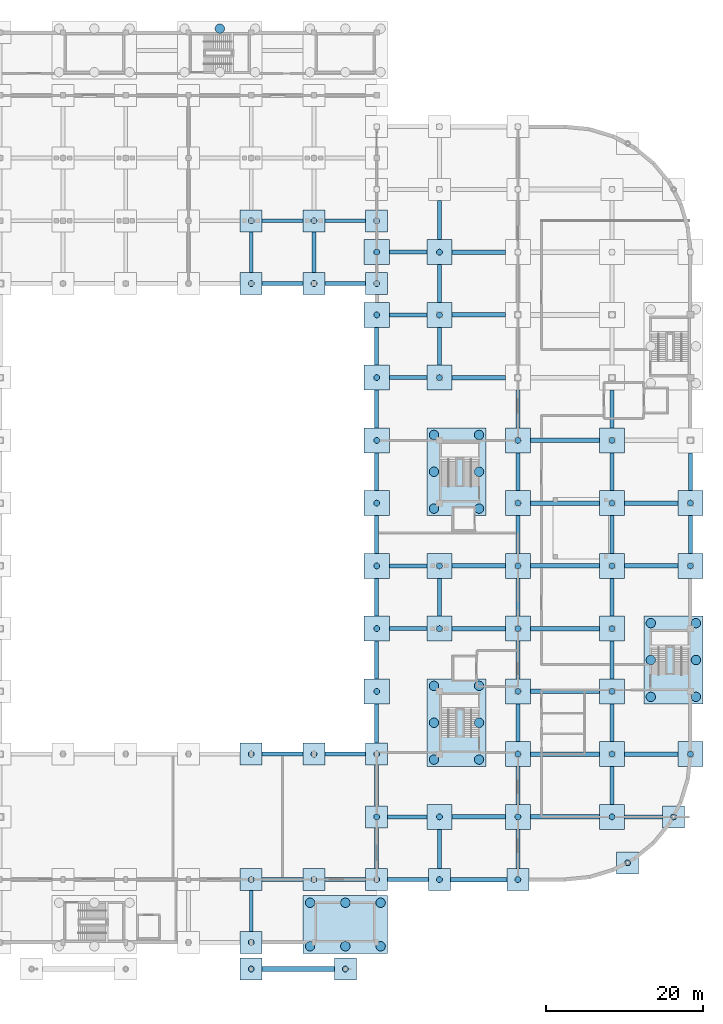
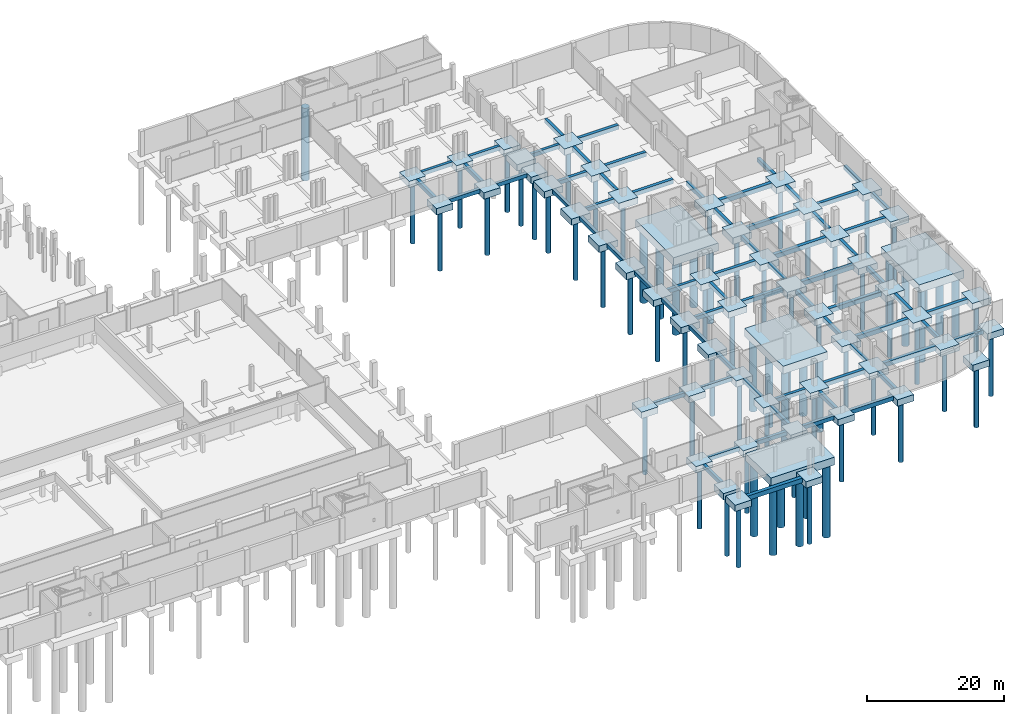
# One storey, part 3 of 29: 123 footings, 76 piles.
"""IFC4 building model written with IfcOpenShell, lengths in metres."""

from ifc_helpers import new_model, si_unit, direction, frame, origin, origin_2d, place, context, subcontext, project, spatial, rectangle, circle, extrude, material, material_profile, profile_set, type_object, element, save


model = new_model("IFC4")

# Units and contexts
model_context = context("Model", 3, precision=1e-05, world=origin(), true_north=direction((0.0, 1.0)))
body_context = subcontext(model_context, "Body", "Model", "MODEL_VIEW")
ifc_project = project(units=[si_unit("LENGTHUNIT", "METRE"), si_unit("AREAUNIT", "SQUARE_METRE"), si_unit("VOLUMEUNIT", "CUBIC_METRE"), si_unit("PLANEANGLEUNIT", "RADIAN"), si_unit("MASSUNIT", "GRAM", prefix="KILO")], contexts=[model_context])

# Site, building, storey
site_placement = place(None, origin())
site = spatial("IfcSite", under=ifc_project, at=site_placement, CompositionType="ELEMENT")
building_placement = place(site_placement, origin())
building = spatial("IfcBuilding", under=site, at=building_placement, Name="Drelvana Railside Aquatics Centre", CompositionType="ELEMENT")
storey_placement = place(building_placement, frame((0.0, 0.0, -4.800048828125)))
storey = spatial("IfcBuildingStorey", under=building, at=storey_placement, Name="B1", CompositionType="ELEMENT", Elevation=-4.800048828125)

# Footings
ifc_material = material(Name="Concrete C35/45", Category="concrete")
ifc_material_profile_1 = material_profile(ifc_material, rectangle(XDim=0.5, YDim=0.699951171875, at=origin_2d()), Name="GB 500x700")
ifc_profile_set_1 = profile_set([ifc_material_profile_1], Name="Concrete C35/45")
footing_type_1 = type_object("IfcFootingType", Name="STR-GB-500x700", PredefinedType="FOOTING_BEAM", material=ifc_profile_set_1)
for number, where, z_axis, x_axis, name in (
    (1, (128.0, 1.39990234375, -0.349853515625), (0.0, 1.0, 0.0), (-1.0, 0.0, 0.0), "Foundation tie beam GB-006"),
    (2, (129.39990234375, 8.0, -0.349853515625), (1.0, 0.0, 0.0), (0.0, 1.0, 0.0), "Foundation tie beam GB-012"),
    (3, (137.39990234375, 8.0, -0.349853515625), (1.0, 0.0, 0.0), (0.0, 1.0, 0.0), "Foundation tie beam GB-013"),
    (4, (145.39990234375, 8.0, -0.349853515625), (1.0, 0.0, 0.0), (0.0, 1.0, 0.0), "Foundation tie beam GB-014"),
    (5, (144.0, 9.39990234375, -0.349853515625), (0.0, 1.0, 0.0), (-1.0, 0.0, 0.0), "Foundation tie beam GB-015"),
):
    element("IfcFooting", number, at=place(storey_placement, frame(where, z_axis=z_axis, x_axis=x_axis)), inside=storey, type_object=footing_type_1, Name=name, PredefinedType="FOOTING_BEAM", context=body_context, shape_type="SweptSolid", body=[
        extrude(rectangle(XDim=0.5, YDim=0.699951171875, at=origin_2d()), origin(), (0.0, 0.0, 1.0), 5.2001953125),
    ])
for number, where, z_axis, x_axis, name in (
    (6, (152.0, 9.39990234375, -0.349853515625), (0.0, 1.0, 0.0), (-1.0, 0.0, 0.0), "Foundation tie beam GB-017"),
    (7, (162.0, 9.39990234375, -0.349853515625), (0.0, 1.0, 0.0), (-1.0, 0.0, 0.0), "Foundation tie beam GB-018"),
    (8, (145.39990234375, 16.0, -0.349853515625), (1.0, 0.0, 0.0), (0.0, 1.0, 0.0), "Foundation tie beam GB-020"),
):
    element("IfcFooting", number, at=place(storey_placement, frame(where, z_axis=z_axis, x_axis=x_axis)), inside=storey, type_object=footing_type_1, Name=name, PredefinedType="FOOTING_BEAM", context=body_context, shape_type="SweptSolid", body=[
        extrude(rectangle(XDim=0.5, YDim=0.699951171875, at=origin_2d()), origin(), (0.0, 0.0, 1.0), 5.0),
    ])
footing_1_placement = place(storey_placement, frame((162.0, 17.60009765625, -0.349853515625), z_axis=(0.0, 1.0, 0.0), x_axis=(-1.0, 0.0, 0.0)))
element("IfcFooting", 9, at=footing_1_placement, inside=storey, type_object=footing_type_1, Name="Foundation tie beam GB-022", PredefinedType="FOOTING_BEAM", context=body_context, shape_type="SweptSolid", body=[
    extrude(rectangle(XDim=0.5, YDim=0.699951171875, at=origin_2d()), origin(), (0.0, 0.0, 1.0), 4.7998046875),
])
footing_2_placement = place(storey_placement, frame((175.60009765625, 16.0, -0.349853515625), z_axis=(1.0, 0.0, 0.0), x_axis=(0.0, 1.0, 0.0)))
element("IfcFooting", 10, at=footing_2_placement, inside=storey, type_object=footing_type_1, Name="Foundation tie beam GB-023", PredefinedType="FOOTING_BEAM", context=body_context, shape_type="SweptSolid", body=[
    extrude(rectangle(XDim=0.5, YDim=0.699951171875, at=origin_2d()), origin(), (0.0, 0.0, 1.0), 4.85595703125),
])
footing_3_placement = place(storey_placement, frame((174.0, 17.60009765625, -0.349853515625), z_axis=(0.0, 1.0, 0.0), x_axis=(-1.0, 0.0, 0.0)))
element("IfcFooting", 11, at=footing_3_placement, inside=storey, type_object=footing_type_1, Name="Foundation tie beam GB-024", PredefinedType="FOOTING_BEAM", context=body_context, shape_type="SweptSolid", body=[
    extrude(rectangle(XDim=0.5, YDim=0.699951171875, at=origin_2d()), origin(), (0.0, 0.0, 1.0), 4.7998046875),
])
footing_4_placement = place(storey_placement, frame((144.0, 17.39990234375, -0.349853515625), z_axis=(0.0, 1.0, 0.0), x_axis=(-1.0, 0.0, 0.0)))
element("IfcFooting", 12, at=footing_4_placement, inside=storey, type_object=footing_type_1, Name="Foundation tie beam GB-036", PredefinedType="FOOTING_BEAM", context=body_context, shape_type="SweptSolid", body=[
    extrude(rectangle(XDim=0.5, YDim=0.699951171875, at=origin_2d()), origin(), (0.0, 0.0, 1.0), 5.2001953125),
])
for number, where, z_axis, x_axis, name in (
    (13, (162.0, 25.60009765625, -0.349853515625), (0.0, 1.0, 0.0), (-1.0, 0.0, 0.0), "Foundation tie beam GB-038"),
    (14, (174.0, 25.60009765625, -0.349853515625), (0.0, 1.0, 0.0), (-1.0, 0.0, 0.0), "Foundation tie beam GB-040"),
):
    element("IfcFooting", number, at=place(storey_placement, frame(where, z_axis=z_axis, x_axis=x_axis)), inside=storey, type_object=footing_type_1, Name=name, PredefinedType="FOOTING_BEAM", context=body_context, shape_type="SweptSolid", body=[
        extrude(rectangle(XDim=0.5, YDim=0.699951171875, at=origin_2d()), origin(), (0.0, 0.0, 1.0), 4.7998046875),
    ])
for number, where, z_axis, x_axis, name in (
    (15, (129.39990234375, 24.0, -0.349853515625), (1.0, 0.0, 0.0), (0.0, 1.0, 0.0), "Foundation tie beam GB-059"),
    (16, (137.39990234375, 24.0, -0.349853515625), (1.0, 0.0, 0.0), (0.0, 1.0, 0.0), "Foundation tie beam GB-060"),
):
    element("IfcFooting", number, at=place(storey_placement, frame(where, z_axis=z_axis, x_axis=x_axis)), inside=storey, type_object=footing_type_1, Name=name, PredefinedType="FOOTING_BEAM", context=body_context, shape_type="SweptSolid", body=[
        extrude(rectangle(XDim=0.5, YDim=0.699951171875, at=origin_2d()), origin(), (0.0, 0.0, 1.0), 5.2001953125),
    ])
footing_5_placement = place(storey_placement, frame((144.0, 25.39990234375, -0.349853515625), z_axis=(0.0, 1.0, 0.0), x_axis=(-1.0, 0.0, 0.0)))
element("IfcFooting", 17, at=footing_5_placement, inside=storey, type_object=footing_type_1, Name="Foundation tie beam GB-061", PredefinedType="FOOTING_BEAM", context=body_context, shape_type="SweptSolid", body=[
    extrude(rectangle(XDim=0.5, YDim=0.699951171875, at=origin_2d()), origin(), (0.0, 0.0, 1.0), 5.0),
])
for number, where, z_axis, x_axis, name in (
    (18, (144.0, 33.60009765625, -0.349853515625), (0.0, 1.0, 0.0), (-1.0, 0.0, 0.0), "Foundation tie beam GB-062"),
    (19, (162.0, 33.60009765625, -0.349853515625), (0.0, 1.0, 0.0), (-1.0, 0.0, 0.0), "Foundation tie beam GB-064"),
    (20, (174.0, 33.60009765625, -0.349853515625), (0.0, 1.0, 0.0), (-1.0, 0.0, 0.0), "Foundation tie beam GB-065"),
    (21, (145.60009765625, 40.0, -0.349853515625), (1.0, 0.0, 0.0), (0.0, 1.0, 0.0), "Foundation tie beam GB-069"),
    (22, (144.0, 41.60009765625, -0.349853515625), (0.0, 1.0, 0.0), (-1.0, 0.0, 0.0), "Foundation tie beam GB-070"),
    (23, (152.0, 41.60009765625, -0.349853515625), (0.0, 1.0, 0.0), (-1.0, 0.0, 0.0), "Foundation tie beam GB-072"),
    (24, (162.0, 41.60009765625, -0.349853515625), (0.0, 1.0, 0.0), (-1.0, 0.0, 0.0), "Foundation tie beam GB-074"),
    (25, (174.0, 41.60009765625, -0.349853515625), (0.0, 1.0, 0.0), (-1.0, 0.0, 0.0), "Foundation tie beam GB-075"),
    (26, (145.60009765625, 48.0, -0.349853515625), (1.0, 0.0, 0.0), (0.0, 1.0, 0.0), "Foundation tie beam GB-078"),
    (27, (144.0, 49.60009765625, -0.349853515625), (0.0, 1.0, 0.0), (-1.0, 0.0, 0.0), "Foundation tie beam GB-079"),
    (28, (162.0, 49.60009765625, -0.349853515625), (0.0, 1.0, 0.0), (-1.0, 0.0, 0.0), "Foundation tie beam GB-082"),
    (29, (174.0, 49.60009765625, -0.349853515625), (0.0, 1.0, 0.0), (-1.0, 0.0, 0.0), "Foundation tie beam GB-084"),
    (30, (184.0, 49.60009765625, -0.349853515625), (0.0, 1.0, 0.0), (-1.0, 0.0, 0.0), "Foundation tie beam GB-085"),
    (31, (144.0, 57.60009765625, -0.349853515625), (0.0, 1.0, 0.0), (-1.0, 0.0, 0.0), "Foundation tie beam GB-101"),
    (32, (162.0, 57.60009765625, -0.349853515625), (0.0, 1.0, 0.0), (-1.0, 0.0, 0.0), "Foundation tie beam GB-103"),
    (33, (174.0, 57.60009765625, -0.349853515625), (0.0, 1.0, 0.0), (-1.0, 0.0, 0.0), "Foundation tie beam GB-105"),
    (34, (184.0, 57.60009765625, -0.349853515625), (0.0, 1.0, 0.0), (-1.0, 0.0, 0.0), "Foundation tie beam GB-106"),
    (35, (144.0, 65.60009765625, -0.349853515625), (0.0, 1.0, 0.0), (-1.0, 0.0, 0.0), "Foundation tie beam GB-112"),
    (36, (162.0, 65.60009765625, -0.349853515625), (0.0, 1.0, 0.0), (-1.0, 0.0, 0.0), "Foundation tie beam GB-114"),
    (37, (174.0, 65.60009765625, -0.349853515625), (0.0, 1.0, 0.0), (-1.0, 0.0, 0.0), "Foundation tie beam GB-116"),
    (38, (145.60009765625, 72.0, -0.349853515625), (1.0, 0.0, 0.0), (0.0, 1.0, 0.0), "Foundation tie beam GB-118"),
    (39, (144.0, 73.60009765625, -0.349853515625), (0.0, 1.0, 0.0), (-1.0, 0.0, 0.0), "Foundation tie beam GB-119"),
    (40, (152.0, 73.60009765625, -0.349853515625), (0.0, 1.0, 0.0), (-1.0, 0.0, 0.0), "Foundation tie beam GB-121"),
    (41, (145.60009765625, 80.0, -0.349853515625), (1.0, 0.0, 0.0), (0.0, 1.0, 0.0), "Foundation tie beam GB-149"),
    (42, (152.0, 81.60009765625, -0.349853515625), (0.0, 1.0, 0.0), (-1.0, 0.0, 0.0), "Foundation tie beam GB-151"),
):
    element("IfcFooting", number, at=place(storey_placement, frame(where, z_axis=z_axis, x_axis=x_axis)), inside=storey, type_object=footing_type_1, Name=name, PredefinedType="FOOTING_BEAM", context=body_context, shape_type="SweptSolid", body=[
        extrude(rectangle(XDim=0.5, YDim=0.699951171875, at=origin_2d()), origin(), (0.0, 0.0, 1.0), 4.7998046875),
    ])
for number, where, z_axis, x_axis, name in (
    (43, (129.39990234375, 84.0, -0.349853515625), (1.0, 0.0, 0.0), (0.0, 1.0, 0.0), "Foundation tie beam GB-175"),
    (44, (128.0, 85.39990234375, -0.349853515625), (0.0, 1.0, 0.0), (-1.0, 0.0, 0.0), "Foundation tie beam GB-176"),
    (45, (137.39990234375, 84.0, -0.349853515625), (1.0, 0.0, 0.0), (0.0, 1.0, 0.0), "Foundation tie beam GB-177"),
    (46, (136.0, 85.39990234375, -0.349853515625), (0.0, 1.0, 0.0), (-1.0, 0.0, 0.0), "Foundation tie beam GB-178"),
):
    element("IfcFooting", number, at=place(storey_placement, frame(where, z_axis=z_axis, x_axis=x_axis)), inside=storey, type_object=footing_type_1, Name=name, PredefinedType="FOOTING_BEAM", context=body_context, shape_type="SweptSolid", body=[
        extrude(rectangle(XDim=0.5, YDim=0.699951171875, at=origin_2d()), origin(), (0.0, 0.0, 1.0), 5.2001953125),
    ])
footing_6_placement = place(storey_placement, frame((145.60009765625, 88.0, -0.349853515625), z_axis=(1.0, 0.0, 0.0), x_axis=(0.0, 1.0, 0.0)))
element("IfcFooting", 47, at=footing_6_placement, inside=storey, type_object=footing_type_1, Name="Foundation tie beam GB-179", PredefinedType="FOOTING_BEAM", context=body_context, shape_type="SweptSolid", body=[
    extrude(rectangle(XDim=0.5, YDim=0.699951171875, at=origin_2d()), origin(), (0.0, 0.0, 1.0), 4.7998046875),
])
footing_7_placement = place(storey_placement, frame((152.0, 89.60009765625, -0.349853515625), z_axis=(0.0, 1.0, 0.0), x_axis=(-1.0, 0.0, 0.0)))
element("IfcFooting", 48, at=footing_7_placement, inside=storey, type_object=footing_type_1, Name="Foundation tie beam GB-181", PredefinedType="FOOTING_BEAM", context=body_context, shape_type="SweptSolid", body=[
    extrude(rectangle(XDim=0.5, YDim=0.699951171875, at=origin_2d()), origin(), (0.0, 0.0, 1.0), 5.0),
])
for number, where, z_axis, x_axis, name in (
    (49, (129.39990234375, 92.0, -0.349853515625), (1.0, 0.0, 0.0), (0.0, 1.0, 0.0), "Foundation tie beam GB-197"),
    (50, (137.39990234375, 92.0, -0.349853515625), (1.0, 0.0, 0.0), (0.0, 1.0, 0.0), "Foundation tie beam GB-199"),
):
    element("IfcFooting", number, at=place(storey_placement, frame(where, z_axis=z_axis, x_axis=x_axis)), inside=storey, type_object=footing_type_1, Name=name, PredefinedType="FOOTING_BEAM", context=body_context, shape_type="SweptSolid", body=[
        extrude(rectangle(XDim=0.5, YDim=0.699951171875, at=origin_2d()), origin(), (0.0, 0.0, 1.0), 5.2001953125),
    ])
ifc_material_profile_2 = material_profile(ifc_material, rectangle(XDim=0.550048828125, YDim=0.75, at=origin_2d()), Name="GB 550x750")
ifc_profile_set_2 = profile_set([ifc_material_profile_2], Name="Concrete C35/45")
footing_type_2 = type_object("IfcFootingType", Name="STR-GB-550x750", PredefinedType="FOOTING_BEAM", material=ifc_profile_set_2)
footing_8_placement = place(storey_placement, frame((153.39990234375, 8.0, -0.375), z_axis=(1.0, 0.0, 0.0), x_axis=(0.0, 1.0, 0.0)))
element("IfcFooting", 51, at=footing_8_placement, inside=storey, type_object=footing_type_2, Name="Foundation tie beam GB-016", PredefinedType="FOOTING_BEAM", context=body_context, shape_type="SweptSolid", body=[
    extrude(rectangle(XDim=0.550048828125, YDim=0.75, at=origin_2d()), origin(), (0.0, 0.0, 1.0), 7.2001953125),
])
for number, where, z_axis, x_axis, name in (
    (52, (153.60009765625, 16.0, -0.375), (1.0, 0.0, 0.0), (0.0, 1.0, 0.0), "Foundation tie beam GB-019"),
    (53, (175.60009765625, 24.0, -0.375), (1.0, 0.0, 0.0), (0.0, 1.0, 0.0), "Foundation tie beam GB-039"),
    (54, (153.60009765625, 40.0, -0.375), (1.0, 0.0, 0.0), (0.0, 1.0, 0.0), "Foundation tie beam GB-071"),
    (55, (153.60009765625, 48.0, -0.375), (1.0, 0.0, 0.0), (0.0, 1.0, 0.0), "Foundation tie beam GB-080"),
    (56, (175.60009765625, 48.0, -0.375), (1.0, 0.0, 0.0), (0.0, 1.0, 0.0), "Foundation tie beam GB-083"),
    (57, (175.60009765625, 56.0, -0.375), (1.0, 0.0, 0.0), (0.0, 1.0, 0.0), "Foundation tie beam GB-104"),
    (58, (153.60009765625, 72.0, -0.375), (1.0, 0.0, 0.0), (0.0, 1.0, 0.0), "Foundation tie beam GB-120"),
    (59, (153.60009765625, 80.0, -0.375), (1.0, 0.0, 0.0), (0.0, 1.0, 0.0), "Foundation tie beam GB-150"),
    (60, (153.60009765625, 88.0, -0.375), (1.0, 0.0, 0.0), (0.0, 1.0, 0.0), "Foundation tie beam GB-180"),
):
    element("IfcFooting", number, at=place(storey_placement, frame(where, z_axis=z_axis, x_axis=x_axis)), inside=storey, type_object=footing_type_2, Name=name, PredefinedType="FOOTING_BEAM", context=body_context, shape_type="SweptSolid", body=[
        extrude(rectangle(XDim=0.550048828125, YDim=0.75, at=origin_2d()), origin(), (0.0, 0.0, 1.0), 6.7998046875),
    ])
ifc_material_profile_3 = material_profile(ifc_material, rectangle(XDim=0.60009765625, YDim=0.800048828125, at=origin_2d()), Name="GB 600x800")
ifc_profile_set_3 = profile_set([ifc_material_profile_3], Name="Concrete C35/45")
footing_type_3 = type_object("IfcFootingType", Name="STR-GB-600x800", PredefinedType="FOOTING_BEAM", material=ifc_profile_set_3)
footing_9_placement = place(storey_placement, frame((129.39990234375, -3.39990234375, -0.39990234375), z_axis=(1.0, 0.0, 0.0), x_axis=(0.0, 1.0, 0.0)))
element("IfcFooting", 61, at=footing_9_placement, inside=storey, type_object=footing_type_3, Name="Foundation tie beam GB-002", PredefinedType="FOOTING_BEAM", context=body_context, shape_type="SweptSolid", body=[
    extrude(rectangle(XDim=0.60009765625, YDim=0.800048828125, at=origin_2d()), origin(), (0.0, 0.0, 1.0), 9.2001953125),
])
for number, where, z_axis, x_axis, name in (
    (62, (163.60009765625, 16.0, -0.39990234375), (1.0, 0.0, 0.0), (0.0, 1.0, 0.0), "Foundation tie beam GB-021"),
    (63, (163.60009765625, 24.0, -0.39990234375), (1.0, 0.0, 0.0), (0.0, 1.0, 0.0), "Foundation tie beam GB-037"),
    (64, (163.60009765625, 32.0, -0.39990234375), (1.0, 0.0, 0.0), (0.0, 1.0, 0.0), "Foundation tie beam GB-063"),
    (65, (163.60009765625, 40.0, -0.39990234375), (1.0, 0.0, 0.0), (0.0, 1.0, 0.0), "Foundation tie beam GB-073"),
    (66, (163.60009765625, 48.0, -0.39990234375), (1.0, 0.0, 0.0), (0.0, 1.0, 0.0), "Foundation tie beam GB-081"),
    (67, (163.60009765625, 56.0, -0.39990234375), (1.0, 0.0, 0.0), (0.0, 1.0, 0.0), "Foundation tie beam GB-102"),
    (68, (163.60009765625, 64.0, -0.39990234375), (1.0, 0.0, 0.0), (0.0, 1.0, 0.0), "Foundation tie beam GB-113"),
):
    element("IfcFooting", number, at=place(storey_placement, frame(where, z_axis=z_axis, x_axis=x_axis)), inside=storey, type_object=footing_type_3, Name=name, PredefinedType="FOOTING_BEAM", context=body_context, shape_type="SweptSolid", body=[
        extrude(rectangle(XDim=0.60009765625, YDim=0.800048828125, at=origin_2d()), origin(), (0.0, 0.0, 1.0), 8.7998046875),
    ])
footing_type_4 = type_object("IfcFootingType", Name="STR-PC-10800x7350x1400", PredefinedType="PILE_CAP", material=ifc_material)
footing_10_placement = place(storey_placement, frame((140.0, 2.27490234375, -1.39990234375), z_axis=(0.0, 0.0, 1.0), x_axis=(1.0, 0.0, 0.0)))
element("IfcFooting", 69, at=footing_10_placement, inside=storey, type_object=footing_type_4, Name="Combined pile cap PC-009", PredefinedType="PILE_CAP", context=body_context, shape_type="SweptSolid", body=[
    extrude(rectangle(XDim=10.800048828125, YDim=7.35009765625, at=origin_2d()), origin(), (0.0, 0.0, 1.0), 1.39990234375),
])
footing_type_5 = type_object("IfcFootingType", Name="STR-PC-2800x2800x1150", PredefinedType="PILE_CAP", material=ifc_material)
for number, where, z_axis, x_axis, name in (
    (70, (128.0, -3.39990234375, -1.14990234375), (0.0, 0.0, 1.0), (1.0, 0.0, 0.0), "Combined pile cap PC-003"),
    (71, (140.0, -3.39990234375, -1.14990234375), (0.0, 0.0, 1.0), (1.0, 0.0, 0.0), "Combined pile cap PC-004"),
    (72, (128.0, 0.0, -1.14990234375), (0.0, 0.0, 1.0), (1.0, 0.0, 0.0), "Combined pile cap PC-008"),
    (73, (128.0, 8.0, -1.14990234375), (0.0, 0.0, 1.0), (1.0, 0.0, 0.0), "Combined pile cap PC-014"),
    (74, (136.0, 8.0, -1.14990234375), (0.0, 0.0, 1.0), (1.0, 0.0, 0.0), "Combined pile cap PC-015"),
    (75, (144.0, 8.0, -1.14990234375), (0.0, 0.0, 1.0), (1.0, 0.0, 0.0), "Combined pile cap PC-016"),
    (76, (152.0, 8.0, -1.14990234375), (0.0, 0.0, 1.0), (1.0, 0.0, 0.0), "Combined pile cap PC-017"),
    (77, (162.0, 8.0, -1.14990234375), (0.0, 0.0, 1.0), (1.0, 0.0, 0.0), "Combined pile cap PC-018"),
    (78, (176.0, 10.14404296875, -1.14990234375), (0.0, 0.0, 1.0), (1.0, 0.0, 0.0), "Combined pile cap PC-019"),
    (79, (144.0, 16.0, -1.14990234375), (0.0, 0.0, 1.0), (1.0, 0.0, 0.0), "Combined pile cap PC-032"),
    (80, (181.85595703125, 16.0, -1.14990234375), (0.0, 0.0, 1.0), (1.0, 0.0, 0.0), "Combined pile cap PC-033"),
    (81, (128.0, 24.0, -1.14990234375), (0.0, 0.0, 1.0), (1.0, 0.0, 0.0), "Combined pile cap PC-054"),
    (82, (136.0, 24.0, -1.14990234375), (0.0, 0.0, 1.0), (1.0, 0.0, 0.0), "Combined pile cap PC-055"),
    (83, (144.0, 24.0, -1.14990234375), (0.0, 0.0, 1.0), (1.0, 0.0, 0.0), "Combined pile cap PC-056"),
    (84, (128.0, 84.0, -1.14990234375), (0.0, 0.0, 1.0), (1.0, 0.0, 0.0), "Combined pile cap PC-142"),
    (85, (136.0, 84.0, -1.14990234375), (0.0, 0.0, 1.0), (1.0, 0.0, 0.0), "Combined pile cap PC-143"),
    (86, (144.0, 84.0, -1.14990234375), (0.0, 0.0, 1.0), (1.0, 0.0, 0.0), "Combined pile cap PC-144"),
    (87, (128.0, 92.0, -1.14990234375), (0.0, 0.0, 1.0), (1.0, 0.0, 0.0), "Combined pile cap PC-157"),
    (88, (136.0, 92.0, -1.14990234375), (0.0, 0.0, 1.0), (1.0, 0.0, 0.0), "Combined pile cap PC-158"),
    (89, (144.0, 92.0, -1.14990234375), (0.0, 0.0, 1.0), (1.0, 0.0, 0.0), "Combined pile cap PC-159"),
):
    element("IfcFooting", number, at=place(storey_placement, frame(where, z_axis=z_axis, x_axis=x_axis)), inside=storey, type_object=footing_type_5, Name=name, PredefinedType="PILE_CAP", context=body_context, shape_type="SweptSolid", body=[
        extrude(rectangle(XDim=2.800048828125, YDim=2.800048828125, at=origin_2d()), origin(), (0.0, 0.0, 1.0), 1.14990234375),
    ])
footing_type_6 = type_object("IfcFootingType", Name="STR-PC-3200x3200x1150", PredefinedType="PILE_CAP", material=ifc_material)
for number, where, z_axis, x_axis, name in (
    (90, (152.0, 16.0, -1.14990234375), (0.0, 0.0, 1.0), (1.0, 0.0, 0.0), "Combined pile cap PC-020"),
    (91, (162.0, 16.0, -1.14990234375), (0.0, 0.0, 1.0), (1.0, 0.0, 0.0), "Combined pile cap PC-021"),
    (92, (174.0, 16.0, -1.14990234375), (0.0, 0.0, 1.0), (1.0, 0.0, 0.0), "Combined pile cap PC-022"),
    (93, (162.0, 24.0, -1.14990234375), (0.0, 0.0, 1.0), (1.0, 0.0, 0.0), "Combined pile cap PC-036"),
    (94, (174.0, 24.0, -1.14990234375), (0.0, 0.0, 1.0), (1.0, 0.0, 0.0), "Combined pile cap PC-037"),
    (95, (184.0, 24.0, -1.14990234375), (0.0, 0.0, 1.0), (1.0, 0.0, 0.0), "Combined pile cap PC-038"),
    (96, (144.0, 32.0, -1.14990234375), (0.0, 0.0, 1.0), (1.0, 0.0, 0.0), "Combined pile cap PC-057"),
    (97, (162.0, 32.0, -1.14990234375), (0.0, 0.0, 1.0), (1.0, 0.0, 0.0), "Combined pile cap PC-058"),
    (98, (174.0, 32.0, -1.14990234375), (0.0, 0.0, 1.0), (1.0, 0.0, 0.0), "Combined pile cap PC-059"),
    (99, (144.0, 40.0, -1.14990234375), (0.0, 0.0, 1.0), (1.0, 0.0, 0.0), "Combined pile cap PC-065"),
    (100, (152.0, 40.0, -1.14990234375), (0.0, 0.0, 1.0), (1.0, 0.0, 0.0), "Combined pile cap PC-066"),
    (101, (162.0, 40.0, -1.14990234375), (0.0, 0.0, 1.0), (1.0, 0.0, 0.0), "Combined pile cap PC-067"),
    (102, (174.0, 40.0, -1.14990234375), (0.0, 0.0, 1.0), (1.0, 0.0, 0.0), "Combined pile cap PC-068"),
    (103, (144.0, 48.0, -1.14990234375), (0.0, 0.0, 1.0), (1.0, 0.0, 0.0), "Combined pile cap PC-071"),
    (104, (152.0, 48.0, -1.14990234375), (0.0, 0.0, 1.0), (1.0, 0.0, 0.0), "Combined pile cap PC-072"),
    (105, (162.0, 48.0, -1.14990234375), (0.0, 0.0, 1.0), (1.0, 0.0, 0.0), "Combined pile cap PC-073"),
    (106, (174.0, 48.0, -1.14990234375), (0.0, 0.0, 1.0), (1.0, 0.0, 0.0), "Combined pile cap PC-074"),
    (107, (184.0, 48.0, -1.14990234375), (0.0, 0.0, 1.0), (1.0, 0.0, 0.0), "Combined pile cap PC-075"),
    (108, (144.0, 56.0, -1.14990234375), (0.0, 0.0, 1.0), (1.0, 0.0, 0.0), "Combined pile cap PC-088"),
    (109, (162.0, 56.0, -1.14990234375), (0.0, 0.0, 1.0), (1.0, 0.0, 0.0), "Combined pile cap PC-090"),
    (110, (174.0, 56.0, -1.14990234375), (0.0, 0.0, 1.0), (1.0, 0.0, 0.0), "Combined pile cap PC-091"),
    (111, (184.0, 56.0, -1.14990234375), (0.0, 0.0, 1.0), (1.0, 0.0, 0.0), "Combined pile cap PC-092"),
    (112, (144.0, 64.0, -1.14990234375), (0.0, 0.0, 1.0), (1.0, 0.0, 0.0), "Combined pile cap PC-098"),
    (113, (162.0, 64.0, -1.14990234375), (0.0, 0.0, 1.0), (1.0, 0.0, 0.0), "Combined pile cap PC-099"),
    (114, (174.0, 64.0, -1.14990234375), (0.0, 0.0, 1.0), (1.0, 0.0, 0.0), "Combined pile cap PC-100"),
    (115, (144.0, 72.0, -1.14990234375), (0.0, 0.0, 1.0), (1.0, 0.0, 0.0), "Combined pile cap PC-104"),
    (116, (152.0, 72.0, -1.14990234375), (0.0, 0.0, 1.0), (1.0, 0.0, 0.0), "Combined pile cap PC-105"),
    (117, (144.0, 80.0, -1.14990234375), (0.0, 0.0, 1.0), (1.0, 0.0, 0.0), "Combined pile cap PC-123"),
    (118, (152.0, 80.0, -1.14990234375), (0.0, 0.0, 1.0), (1.0, 0.0, 0.0), "Combined pile cap PC-124"),
    (119, (144.0, 88.0, -1.14990234375), (0.0, 0.0, 1.0), (1.0, 0.0, 0.0), "Combined pile cap PC-145"),
    (120, (152.0, 88.0, -1.14990234375), (0.0, 0.0, 1.0), (1.0, 0.0, 0.0), "Combined pile cap PC-146"),
):
    element("IfcFooting", number, at=place(storey_placement, frame(where, z_axis=z_axis, x_axis=x_axis)), inside=storey, type_object=footing_type_6, Name=name, PredefinedType="PILE_CAP", context=body_context, shape_type="SweptSolid", body=[
        extrude(rectangle(XDim=3.199951171875, YDim=3.199951171875, at=origin_2d()), origin(), (0.0, 0.0, 1.0), 1.14990234375),
    ])
footing_type_7 = type_object("IfcFootingType", Name="STR-PC-7550x11200x1400", PredefinedType="PILE_CAP", material=ifc_material)
for number, where, z_axis, x_axis, name in (
    (121, (154.175048828125, 28.0, -1.39990234375), (0.0, 0.0, 1.0), (1.0, 0.0, 0.0), "Combined pile cap PC-035"),
    (122, (181.824951171875, 36.0, -1.39990234375), (0.0, 0.0, 1.0), (1.0, 0.0, 0.0), "Combined pile cap PC-060"),
    (123, (154.175048828125, 60.0, -1.39990234375), (0.0, 0.0, 1.0), (1.0, 0.0, 0.0), "Combined pile cap PC-089"),
):
    element("IfcFooting", number, at=place(storey_placement, frame(where, z_axis=z_axis, x_axis=x_axis)), inside=storey, type_object=footing_type_7, Name=name, PredefinedType="PILE_CAP", context=body_context, shape_type="SweptSolid", body=[
        extrude(rectangle(XDim=7.550048828125, YDim=11.199951171875, at=origin_2d()), origin(), (0.0, 0.0, 1.0), 1.39990234375),
    ])

# Piles
ifc_material_profile_4 = material_profile(ifc_material, circle(Radius=0.60009765625, at=origin_2d()), Name="PILE D1200")
ifc_profile_set_4 = profile_set([ifc_material_profile_4], Name="Concrete C35/45")
pile_type_1 = type_object("IfcPileType", Name="STR-PILE-1200", PredefinedType="BORED", material=ifc_profile_set_4)
for number, where, z_axis, x_axis, name in (
    (124, (135.5, -0.5, -1.300048828125), (0.0, 0.0, -1.0), (1.0, 0.0, 0.0), "Bored pile PL-009-01"),
    (125, (135.5, 5.050048828125, -1.300048828125), (0.0, 0.0, -1.0), (1.0, 0.0, 0.0), "Bored pile PL-009-02"),
    (126, (140.0, -0.5, -1.300048828125), (0.0, 0.0, -1.0), (1.0, 0.0, 0.0), "Bored pile PL-009-03"),
    (127, (140.0, 5.050048828125, -1.300048828125), (0.0, 0.0, -1.0), (1.0, 0.0, 0.0), "Bored pile PL-009-04"),
    (128, (144.5, -0.5, -1.300048828125), (0.0, 0.0, -1.0), (1.0, 0.0, 0.0), "Bored pile PL-009-05"),
    (129, (144.5, 5.050048828125, -1.300048828125), (0.0, 0.0, -1.0), (1.0, 0.0, 0.0), "Bored pile PL-009-06"),
    (130, (151.300048828125, 23.300048828125, -1.300048828125), (0.0, 0.0, -1.0), (1.0, 0.0, 0.0), "Bored pile PL-035-01"),
    (131, (151.300048828125, 28.0, -1.300048828125), (0.0, 0.0, -1.0), (1.0, 0.0, 0.0), "Bored pile PL-035-02"),
    (132, (151.300048828125, 32.699951171875, -1.300048828125), (0.0, 0.0, -1.0), (1.0, 0.0, 0.0), "Bored pile PL-035-03"),
    (133, (157.050048828125, 23.300048828125, -1.300048828125), (0.0, 0.0, -1.0), (1.0, 0.0, 0.0), "Bored pile PL-035-04"),
    (134, (157.050048828125, 28.0, -1.300048828125), (0.0, 0.0, -1.0), (1.0, 0.0, 0.0), "Bored pile PL-035-05"),
    (135, (157.050048828125, 32.699951171875, -1.300048828125), (0.0, 0.0, -1.0), (1.0, 0.0, 0.0), "Bored pile PL-035-06"),
    (136, (178.949951171875, 31.300048828125, -1.300048828125), (0.0, 0.0, -1.0), (1.0, 0.0, 0.0), "Bored pile PL-060-01"),
    (137, (178.949951171875, 36.0, -1.300048828125), (0.0, 0.0, -1.0), (1.0, 0.0, 0.0), "Bored pile PL-060-02"),
    (138, (178.949951171875, 40.699951171875, -1.300048828125), (0.0, 0.0, -1.0), (1.0, 0.0, 0.0), "Bored pile PL-060-03"),
    (139, (184.699951171875, 31.300048828125, -1.300048828125), (0.0, 0.0, -1.0), (1.0, 0.0, 0.0), "Bored pile PL-060-04"),
    (140, (184.699951171875, 36.0, -1.300048828125), (0.0, 0.0, -1.0), (1.0, 0.0, 0.0), "Bored pile PL-060-05"),
    (141, (184.699951171875, 40.699951171875, -1.300048828125), (0.0, 0.0, -1.0), (1.0, 0.0, 0.0), "Bored pile PL-060-06"),
    (142, (151.300048828125, 55.300048828125, -1.300048828125), (0.0, 0.0, -1.0), (1.0, 0.0, 0.0), "Bored pile PL-089-01"),
    (143, (151.300048828125, 60.0, -1.300048828125), (0.0, 0.0, -1.0), (1.0, 0.0, 0.0), "Bored pile PL-089-02"),
    (144, (151.300048828125, 64.699951171875, -1.300048828125), (0.0, 0.0, -1.0), (1.0, 0.0, 0.0), "Bored pile PL-089-03"),
    (145, (157.050048828125, 55.300048828125, -1.300048828125), (0.0, 0.0, -1.0), (1.0, 0.0, 0.0), "Bored pile PL-089-04"),
    (146, (157.050048828125, 60.0, -1.300048828125), (0.0, 0.0, -1.0), (1.0, 0.0, 0.0), "Bored pile PL-089-05"),
    (147, (157.050048828125, 64.699951171875, -1.300048828125), (0.0, 0.0, -1.0), (1.0, 0.0, 0.0), "Bored pile PL-089-06"),
    (148, (124.0, 116.5, -1.300048828125), (0.0, 0.0, -1.0), (1.0, 0.0, 0.0), "Bored pile PL-189-04"),
):
    element("IfcPile", number, at=place(storey_placement, frame(where, z_axis=z_axis, x_axis=x_axis)), inside=storey, type_object=pile_type_1, Name=name, PredefinedType="BORED", context=body_context, shape_type="SweptSolid", body=[
        extrude(circle(Radius=0.60009765625, at=origin_2d()), origin(), (0.0, 0.0, 1.0), 13.0),
    ])
ifc_material_profile_5 = material_profile(ifc_material, circle(Radius=0.375, at=origin_2d()), Name="PILE D750")
ifc_profile_set_5 = profile_set([ifc_material_profile_5], Name="Concrete C35/45")
pile_type_2 = type_object("IfcPileType", Name="STR-PILE-750", PredefinedType="BORED", material=ifc_profile_set_5)
for number, where, z_axis, x_axis, name in (
    (149, (128.0, -3.39990234375, -1.050048828125), (0.0, 0.0, -1.0), (1.0, 0.0, 0.0), "Bored pile PL-003-01"),
    (150, (140.0, -3.39990234375, -1.050048828125), (0.0, 0.0, -1.0), (1.0, 0.0, 0.0), "Bored pile PL-004-01"),
    (151, (128.0, 0.0, -1.050048828125), (0.0, 0.0, -1.0), (1.0, 0.0, 0.0), "Bored pile PL-008-01"),
    (152, (128.0, 8.0, -1.050048828125), (0.0, 0.0, -1.0), (1.0, 0.0, 0.0), "Bored pile PL-014-01"),
    (153, (136.0, 8.0, -1.050048828125), (0.0, 0.0, -1.0), (1.0, 0.0, 0.0), "Bored pile PL-015-01"),
    (154, (144.0, 8.0, -1.050048828125), (0.0, 0.0, -1.0), (1.0, 0.0, 0.0), "Bored pile PL-016-01"),
    (155, (152.0, 8.0, -1.050048828125), (0.0, 0.0, -1.0), (1.0, 0.0, 0.0), "Bored pile PL-017-01"),
    (156, (162.0, 8.0, -1.050048828125), (0.0, 0.0, -1.0), (1.0, 0.0, 0.0), "Bored pile PL-018-01"),
    (157, (176.0, 10.14404296875, -1.050048828125), (0.0, 0.0, -1.0), (1.0, 0.0, 0.0), "Bored pile PL-019-01"),
    (158, (152.0, 16.0, -1.050048828125), (0.0, 0.0, -1.0), (1.0, 0.0, 0.0), "Bored pile PL-020-01"),
    (159, (162.0, 16.0, -1.050048828125), (0.0, 0.0, -1.0), (1.0, 0.0, 0.0), "Bored pile PL-021-01"),
    (160, (174.0, 16.0, -1.050048828125), (0.0, 0.0, -1.0), (1.0, 0.0, 0.0), "Bored pile PL-022-01"),
    (161, (144.0, 16.0, -1.050048828125), (0.0, 0.0, -1.0), (1.0, 0.0, 0.0), "Bored pile PL-032-01"),
    (162, (181.85595703125, 16.0, -1.050048828125), (0.0, 0.0, -1.0), (1.0, 0.0, 0.0), "Bored pile PL-033-01"),
    (163, (162.0, 24.0, -1.050048828125), (0.0, 0.0, -1.0), (1.0, 0.0, 0.0), "Bored pile PL-036-01"),
    (164, (174.0, 24.0, -1.050048828125), (0.0, 0.0, -1.0), (1.0, 0.0, 0.0), "Bored pile PL-037-01"),
    (165, (184.0, 24.0, -1.050048828125), (0.0, 0.0, -1.0), (1.0, 0.0, 0.0), "Bored pile PL-038-01"),
    (166, (128.0, 24.0, -1.050048828125), (0.0, 0.0, -1.0), (1.0, 0.0, 0.0), "Bored pile PL-054-01"),
    (167, (136.0, 24.0, -1.050048828125), (0.0, 0.0, -1.0), (1.0, 0.0, 0.0), "Bored pile PL-055-01"),
    (168, (144.0, 24.0, -1.050048828125), (0.0, 0.0, -1.0), (1.0, 0.0, 0.0), "Bored pile PL-056-01"),
    (169, (144.0, 32.0, -1.050048828125), (0.0, 0.0, -1.0), (1.0, 0.0, 0.0), "Bored pile PL-057-01"),
    (170, (162.0, 32.0, -1.050048828125), (0.0, 0.0, -1.0), (1.0, 0.0, 0.0), "Bored pile PL-058-01"),
    (171, (174.0, 32.0, -1.050048828125), (0.0, 0.0, -1.0), (1.0, 0.0, 0.0), "Bored pile PL-059-01"),
    (172, (144.0, 40.0, -1.050048828125), (0.0, 0.0, -1.0), (1.0, 0.0, 0.0), "Bored pile PL-065-01"),
    (173, (152.0, 40.0, -1.050048828125), (0.0, 0.0, -1.0), (1.0, 0.0, 0.0), "Bored pile PL-066-01"),
    (174, (162.0, 40.0, -1.050048828125), (0.0, 0.0, -1.0), (1.0, 0.0, 0.0), "Bored pile PL-067-01"),
    (175, (174.0, 40.0, -1.050048828125), (0.0, 0.0, -1.0), (1.0, 0.0, 0.0), "Bored pile PL-068-01"),
    (176, (144.0, 48.0, -1.050048828125), (0.0, 0.0, -1.0), (1.0, 0.0, 0.0), "Bored pile PL-071-01"),
    (177, (152.0, 48.0, -1.050048828125), (0.0, 0.0, -1.0), (1.0, 0.0, 0.0), "Bored pile PL-072-01"),
    (178, (162.0, 48.0, -1.050048828125), (0.0, 0.0, -1.0), (1.0, 0.0, 0.0), "Bored pile PL-073-01"),
    (179, (174.0, 48.0, -1.050048828125), (0.0, 0.0, -1.0), (1.0, 0.0, 0.0), "Bored pile PL-074-01"),
    (180, (184.0, 48.0, -1.050048828125), (0.0, 0.0, -1.0), (1.0, 0.0, 0.0), "Bored pile PL-075-01"),
    (181, (144.0, 56.0, -1.050048828125), (0.0, 0.0, -1.0), (1.0, 0.0, 0.0), "Bored pile PL-088-01"),
    (182, (162.0, 56.0, -1.050048828125), (0.0, 0.0, -1.0), (1.0, 0.0, 0.0), "Bored pile PL-090-01"),
    (183, (174.0, 56.0, -1.050048828125), (0.0, 0.0, -1.0), (1.0, 0.0, 0.0), "Bored pile PL-091-01"),
    (184, (184.0, 56.0, -1.050048828125), (0.0, 0.0, -1.0), (1.0, 0.0, 0.0), "Bored pile PL-092-01"),
    (185, (144.0, 64.0, -1.050048828125), (0.0, 0.0, -1.0), (1.0, 0.0, 0.0), "Bored pile PL-098-01"),
    (186, (162.0, 64.0, -1.050048828125), (0.0, 0.0, -1.0), (1.0, 0.0, 0.0), "Bored pile PL-099-01"),
    (187, (174.0, 64.0, -1.050048828125), (0.0, 0.0, -1.0), (1.0, 0.0, 0.0), "Bored pile PL-100-01"),
    (188, (144.0, 72.0, -1.050048828125), (0.0, 0.0, -1.0), (1.0, 0.0, 0.0), "Bored pile PL-104-01"),
    (189, (152.0, 72.0, -1.050048828125), (0.0, 0.0, -1.0), (1.0, 0.0, 0.0), "Bored pile PL-105-01"),
    (190, (144.0, 80.0, -1.050048828125), (0.0, 0.0, -1.0), (1.0, 0.0, 0.0), "Bored pile PL-123-01"),
    (191, (152.0, 80.0, -1.050048828125), (0.0, 0.0, -1.0), (1.0, 0.0, 0.0), "Bored pile PL-124-01"),
    (192, (128.0, 84.0, -1.050048828125), (0.0, 0.0, -1.0), (1.0, 0.0, 0.0), "Bored pile PL-142-01"),
    (193, (136.0, 84.0, -1.050048828125), (0.0, 0.0, -1.0), (1.0, 0.0, 0.0), "Bored pile PL-143-01"),
    (194, (144.0, 84.0, -1.050048828125), (0.0, 0.0, -1.0), (1.0, 0.0, 0.0), "Bored pile PL-144-01"),
    (195, (144.0, 88.0, -1.050048828125), (0.0, 0.0, -1.0), (1.0, 0.0, 0.0), "Bored pile PL-145-01"),
    (196, (152.0, 88.0, -1.050048828125), (0.0, 0.0, -1.0), (1.0, 0.0, 0.0), "Bored pile PL-146-01"),
    (197, (128.0, 92.0, -1.050048828125), (0.0, 0.0, -1.0), (1.0, 0.0, 0.0), "Bored pile PL-157-01"),
    (198, (136.0, 92.0, -1.050048828125), (0.0, 0.0, -1.0), (1.0, 0.0, 0.0), "Bored pile PL-158-01"),
    (199, (144.0, 92.0, -1.050048828125), (0.0, 0.0, -1.0), (1.0, 0.0, 0.0), "Bored pile PL-159-01"),
):
    element("IfcPile", number, at=place(storey_placement, frame(where, z_axis=z_axis, x_axis=x_axis)), inside=storey, type_object=pile_type_2, Name=name, PredefinedType="BORED", context=body_context, shape_type="SweptSolid", body=[
        extrude(circle(Radius=0.375, at=origin_2d()), origin(), (0.0, 0.0, 1.0), 11.199951171875),
    ])

save(model, "model.ifc")
